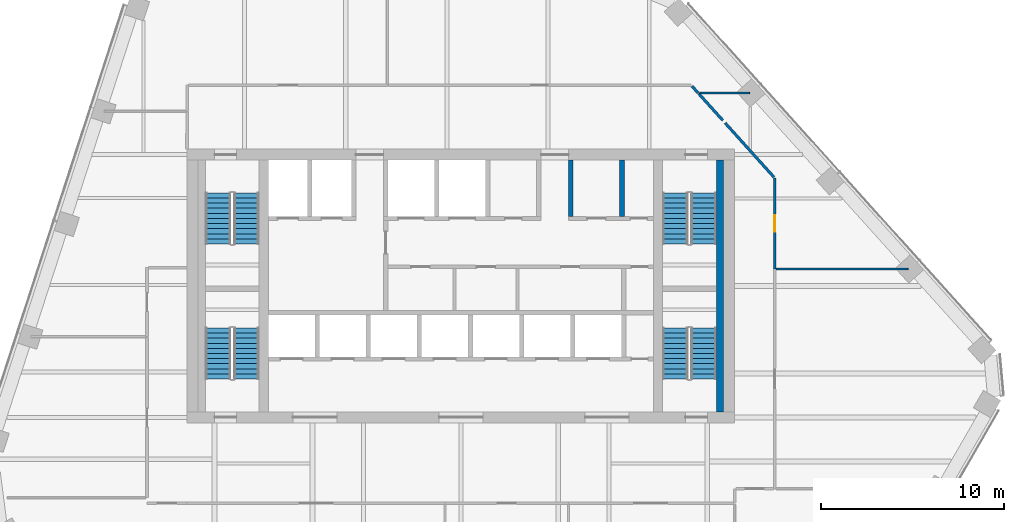
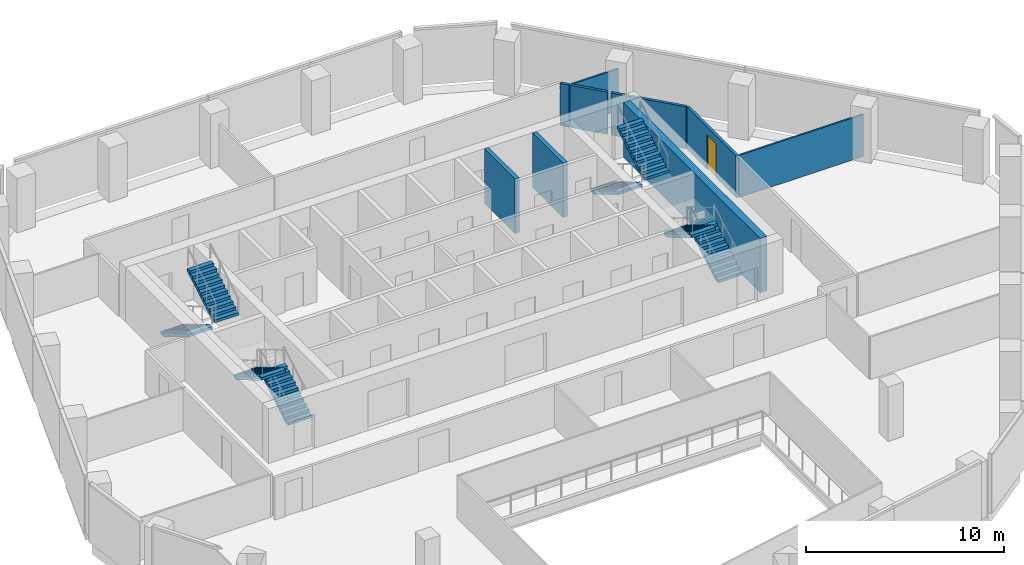
# One storey, part 11 of 16: 9 walls, 8 stair flights, 1 door, 1 opening, 4 elements without a shape of their own.
"""IFC4 building model written with IfcOpenShell, lengths in metres."""

from ifc_helpers import new_model, si_unit, direction, frame, frame_2d, origin, place, context, subcontext, project, spatial, polyline, rectangle, outline, extrude, material, layer, layer_set, type_object, element, fill, aggregate, save


model = new_model("IFC4")

# Units and contexts
model_context = context("Model", 3, precision=1e-05, world=origin(), true_north=direction((0.0, 1.0)))
body_context = subcontext(model_context, "Body", "Model", "MODEL_VIEW")
ifc_project = project(units=[si_unit("LENGTHUNIT", "METRE"), si_unit("AREAUNIT", "SQUARE_METRE"), si_unit("VOLUMEUNIT", "CUBIC_METRE"), si_unit("PLANEANGLEUNIT", "RADIAN"), si_unit("MASSUNIT", "GRAM", prefix="KILO")], contexts=[model_context])

# Site, building, storey
site_placement = place(None, origin())
site = spatial("IfcSite", under=ifc_project, at=site_placement, CompositionType="ELEMENT")
building_placement = place(site_placement, origin())
building = spatial("IfcBuilding", under=site, at=building_placement, Name="Isthmus Gate Tower", CompositionType="ELEMENT")
storey_placement = place(building_placement, frame((0.0, 0.0, 252.800048828125)))
storey = spatial("IfcBuildingStorey", under=building, at=storey_placement, Name="L64", CompositionType="ELEMENT", Elevation=252.800048828125)

# Wall, opening, door
ifc_material_1 = material(Name="Gypsum board on steel studs, fire-rated", Category="steel")
ifc_layer_1 = layer(ifc_material_1, 0.14990234375)
ifc_layer_set_1 = layer_set([ifc_layer_1], Name="CORRIDOR WALL 150 60 MIN")
wall_type_1 = type_object("IfcWallType", Name="CORRIDOR WALL 150 60 MIN", PredefinedType="PARTITIONING", material=ifc_layer_set_1)
wall_1_placement = place(storey_placement, frame((17.199951171875, 13.407958984375, 0.0), z_axis=(0.0, 0.0, 1.0), x_axis=(0.0, -1.0, 0.0)))
wall_1 = element("IfcWall", 1, at=wall_1_placement, inside=storey, type_object=wall_type_1, Name="L64 Corridor Wall 150 60 Min", PredefinedType="PARTITIONING", context=body_context, shape_type="SweptSolid", body=[
    extrude(rectangle(XDim=4.97998046875, YDim=0.14990234375, at=frame_2d((2.489990234375, 0.0))), origin(), (0.0, 0.0, 1.0), 2.6005859375),
])
opening_placement = place(wall_1_placement, frame((2.0400390625, 0.0, 0.0)))
opening = element("IfcOpeningElement", 2, at=opening_placement, cuts=wall_1, Name="Opening DT-T5D-04", PredefinedType="OPENING", context=body_context, shape_type="SweptSolid", body=[
    extrude(rectangle(XDim=0.89990234375, YDim=2.10009765625, at=frame_2d((0.449951171875, 1.050048828125))), frame((0.0, 0.0849609375, 0.0), z_axis=(0.0, -1.0, 0.0), x_axis=(1.0, 0.0, 0.0)), (0.0, 0.0, 1.0), 0.169921875),
])
ifc_material_2 = material(Name="Solid core timber door leaf, fire-rated", Category="wood")
door_type = type_object("IfcDoorType", Name="FIRE DOOR ROOM 900 X 2100 60 MIN", OperationType="SINGLE_SWING_LEFT", PredefinedType="DOOR", material=ifc_material_2)
door_placement = place(opening_placement, origin())
door = element("IfcDoor", 3, at=door_placement, inside=storey, type_object=door_type, Name="L64 room door", OperationType="SINGLE_SWING_LEFT", OverallHeight=2.10009765625, OverallWidth=0.89990234375, PredefinedType="DOOR", context=body_context, shape_type="SweptSolid", body=[
    extrude(rectangle(XDim=0.89990234375, YDim=2.10009765625, at=frame_2d((0.449951171875, 1.050048828125))), frame((0.0, 0.02490234375, 0.0), z_axis=(0.0, -1.0, 0.0), x_axis=(1.0, 0.0, 0.0)), (0.0, 0.0, 1.0), 0.050048828125),
])
fill(opening, door)

# Walls
wall_2_placement = place(storey_placement, frame((12.6650390625, 18.444091796875, 0.0), z_axis=(0.0, 0.0, 1.0), x_axis=(0.668637752652, -0.743588297197, 0.0)))
element("IfcWall", 4, at=wall_2_placement, inside=storey, type_object=wall_type_1, Name="L64 Corridor Wall 150 60 Min", PredefinedType="PARTITIONING", context=body_context, shape_type="SweptSolid", body=[
    extrude(rectangle(XDim=0.4951171875, YDim=0.14990234375, at=frame_2d((0.24755859375, 0.0))), origin(), (0.0, 0.0, 1.0), 2.6005859375),
])
wall_3_placement = place(storey_placement, frame((13.029541015625, 18.038818359375, 0.0), z_axis=(0.0, 0.0, 1.0), x_axis=(0.669183955235, -0.743096786466, 0.0)))
element("IfcWall", 5, at=wall_3_placement, inside=storey, type_object=wall_type_1, Name="L64 Corridor Wall 150 60 Min", PredefinedType="PARTITIONING", context=body_context, shape_type="SweptSolid", body=[
    extrude(rectangle(XDim=1.96875, YDim=0.14990234375, at=frame_2d((0.984375, 0.0))), origin(), (0.0, 0.0, 1.0), 2.6005859375),
])
wall_4_placement = place(storey_placement, frame((14.47607421875, 16.4326171875, 0.0), z_axis=(0.0, 0.0, 1.0), x_axis=(0.669204384193, -0.743078388985, 0.0)))
element("IfcWall", 6, at=wall_4_placement, inside=storey, type_object=wall_type_1, Name="L64 Corridor Wall 150 60 Min", PredefinedType="PARTITIONING", context=body_context, shape_type="SweptSolid", body=[
    extrude(rectangle(XDim=3.99560546875, YDim=0.14990234375, at=frame_2d((1.997802734375, 0.0))), origin(), (0.0, 0.0, 1.0), 2.6005859375),
])
ifc_material_3 = material(Name="Gypsum board on steel studs, fire-rated", Category="steel")
ifc_layer_2 = layer(ifc_material_3, 0.10009765625)
ifc_layer_set_2 = layer_set([ifc_layer_2], Name="ROOM PARTITION 100 30 MIN")
wall_type_2 = type_object("IfcWallType", Name="ROOM PARTITION 100 30 MIN", PredefinedType="PARTITIONING", material=ifc_layer_set_2)
wall_5_placement = place(storey_placement, frame((13.096923828125, 18.075927734375, 0.0), z_axis=(0.0, 0.0, 1.0), x_axis=(1.0, 0.0, 0.0)))
element("IfcWall", 7, at=wall_5_placement, inside=storey, type_object=wall_type_2, Name="L64 Room Partition 100 30 Min", PredefinedType="PARTITIONING", context=body_context, shape_type="SweptSolid", body=[
    extrude(rectangle(XDim=2.72509765625, YDim=0.10009765625, at=frame_2d((1.362548828125, 0.0))), origin(), (0.0, 0.0, 1.0), 2.6005859375),
])
wall_6_placement = place(storey_placement, frame((17.27490234375, 8.427978515625, 0.0), z_axis=(0.0, 0.0, 1.0), x_axis=(1.0, 0.0, 0.0)))
element("IfcWall", 8, at=wall_6_placement, inside=storey, type_object=wall_type_2, Name="L64 Room Partition 100 30 Min", PredefinedType="PARTITIONING", context=body_context, shape_type="SweptSolid", body=[
    extrude(rectangle(XDim=7.235107421875, YDim=0.10009765625, at=frame_2d((3.61767578125, 0.0))), origin(), (0.0, 0.0, 1.0), 2.6005859375),
])
ifc_material_4 = material(Name="Fire-rated blockwork masonry, 15 MPa", Category="masonry")
ifc_layer_3 = layer(ifc_material_4, 0.25)
ifc_layer_set_3 = layer_set([ifc_layer_3], Name="SHAFT WALL 250 120 MIN")
wall_type_3 = type_object("IfcWallType", Name="SHAFT WALL 250 120 MIN", PredefinedType="PARTITIONING", material=ifc_layer_set_3)
for number, where, z_axis, x_axis, name in (
    (9, (6.02490234375, 11.300048828125, 0.0), (0.0, 0.0, 1.0), (0.0, 1.0, 0.0), "L64 SHAFT WALL 250 120 MIN"),
    (10, (8.824951171875, 11.300048828125, 0.0), (0.0, 0.0, 1.0), (0.0, 1.0, 0.0), "L64 SHAFT WALL 250 120 MIN"),
):
    element("IfcWall", number, at=place(storey_placement, frame(where, z_axis=z_axis, x_axis=x_axis)), inside=storey, type_object=wall_type_3, Name=name, PredefinedType="PARTITIONING", context=body_context, shape_type="SweptSolid", body=[
        extrude(rectangle(XDim=3.099853515625, YDim=0.25, at=frame_2d((1.5498046875, 0.0))), origin(), (0.0, 0.0, 1.0), 3.349853515625),
    ])
ifc_material_5 = material(Name="Concrete f'c 40 MPa", Category="concrete")
ifc_layer_4 = layer(ifc_material_5, 0.39990234375)
ifc_layer_set_4 = layer_set([ifc_layer_4], Name="STAIR ENCLOSURE WALL 400 180 MIN")
wall_type_4 = type_object("IfcWallType", Name="STAIR ENCLOSURE WALL 400 180 MIN", PredefinedType="SOLIDWALL", material=ifc_layer_set_4)
wall_7_placement = place(storey_placement, frame((14.199951171875, 0.60009765625, 0.0), z_axis=(0.0, 0.0, 1.0), x_axis=(0.0, 1.0, 0.0)))
element("IfcWall", 11, at=wall_7_placement, inside=storey, type_object=wall_type_4, Name="L64 STAIR ENCLOSURE WALL 400 180 MIN", PredefinedType="SOLIDWALL", context=body_context, shape_type="SweptSolid", body=[
    extrude(rectangle(XDim=13.7998046875, YDim=0.39990234375, at=frame_2d((6.89990234375, 0.0))), origin(), (0.0, 0.0, 1.0), 3.349853515625),
])

# Stair, stair flights
ifc_material_6 = material(Name="Concrete f'c 40 MPa", Category="concrete")
stair_type = type_object("IfcStairType", Name="CORE STAIR 22 RISERS", PredefinedType="HALF_TURN_STAIR", material=ifc_material_6)
stair_1_placement = place(storey_placement, origin())
stair_1 = element("IfcStair", 12, at=stair_1_placement, inside=storey, type_object=stair_type, Name="L64 Exit Stair 1", PredefinedType="HALF_TURN_STAIR")
ifc_material_7 = material(Name="Concrete f'c 40 MPa", Category="concrete")
stair_flight_type = type_object("IfcStairFlightType", Name="STAIR FLIGHT RC 1400", PredefinedType="STRAIGHT", material=ifc_material_7)
stair_flight_1_placement = place(storey_placement, frame((-13.300048828125, 12.60009765625, 0.0), z_axis=(0.0, 0.0, 1.0), x_axis=(0.0, -1.0, 0.0)))
stair_flight_1 = element("IfcStairFlight", 13, at=stair_flight_1_placement, type_object=stair_flight_type, Name="ST1 flight 1", NumberOfRisers=11, NumberOfTreads=10, PredefinedType="STRAIGHT", RiserHeight=0.165909091, TreadLength=0.28, context=body_context, shape_type="SweptSolid", body=[
    extrude(outline(polyline([(0.0, 0.0), (0.0, 0.166015625), (0.280029296875, 0.166015625), (0.280029296875, 0.331787109375), (0.56005859375, 0.331787109375), (0.56005859375, 0.497802734375), (0.840087890625, 0.497802734375), (0.840087890625, 0.66357421875), (1.1201171875, 0.66357421875), (1.1201171875, 0.82958984375), (1.39990234375, 0.82958984375), (1.39990234375, 0.995361328125), (1.679931640625, 0.995361328125), (1.679931640625, 1.161376953125), (1.9599609375, 1.161376953125), (1.9599609375, 1.327392578125), (2.239990234375, 1.327392578125), (2.239990234375, 1.4931640625), (2.52001953125, 1.4931640625), (2.52001953125, 1.6591796875), (2.800048828125, 1.6591796875), (2.800048828125, 1.824951171875), (2.800048828125, 1.48486328125), (0.2939453125, 0.0), (0.0, 0.0)])), frame((0.0, 0.699951171875, 0.0), z_axis=(0.0, -1.0, 0.0), x_axis=(1.0, 0.0, 0.0)), (0.0, 0.0, 1.0), 1.39990234375),
])
stair_flight_2_placement = place(storey_placement, frame((-11.75, 9.800048828125, 1.824951171875), z_axis=(0.0, 0.0, 1.0), x_axis=(0.0, 1.0, 0.0)))
stair_flight_2 = element("IfcStairFlight", 14, at=stair_flight_2_placement, type_object=stair_flight_type, Name="ST1 flight 2", NumberOfRisers=11, NumberOfTreads=10, PredefinedType="STRAIGHT", RiserHeight=0.165909091, TreadLength=0.28, context=body_context, shape_type="SweptSolid", body=[
    extrude(outline(polyline([(0.0, 0.0), (0.0, 0.166015625), (0.280029296875, 0.166015625), (0.280029296875, 0.331787109375), (0.56005859375, 0.331787109375), (0.56005859375, 0.497802734375), (0.840087890625, 0.497802734375), (0.840087890625, 0.66357421875), (1.1201171875, 0.66357421875), (1.1201171875, 0.82958984375), (1.39990234375, 0.82958984375), (1.39990234375, 0.995361328125), (1.679931640625, 0.995361328125), (1.679931640625, 1.161376953125), (1.9599609375, 1.161376953125), (1.9599609375, 1.327392578125), (2.239990234375, 1.327392578125), (2.239990234375, 1.4931640625), (2.52001953125, 1.4931640625), (2.52001953125, 1.6591796875), (2.800048828125, 1.6591796875), (2.800048828125, 1.824951171875), (2.800048828125, 1.48486328125), (0.2939453125, 0.0), (0.0, 0.0)])), frame((0.0, 0.699951171875, 0.0), z_axis=(0.0, -1.0, 0.0), x_axis=(1.0, 0.0, 0.0)), (0.0, 0.0, 1.0), 1.39990234375),
])
aggregate(stair_1, [stair_flight_1, stair_flight_2])

stair_2_placement = place(storey_placement, origin())
stair_2 = element("IfcStair", 15, at=stair_2_placement, inside=storey, type_object=stair_type, Name="L64 Exit Stair 2", PredefinedType="HALF_TURN_STAIR")
stair_flight_3_placement = place(storey_placement, frame((11.75, 12.60009765625, 0.0), z_axis=(0.0, 0.0, 1.0), x_axis=(0.0, -1.0, 0.0)))
stair_flight_3 = element("IfcStairFlight", 16, at=stair_flight_3_placement, type_object=stair_flight_type, Name="ST2 flight 1", NumberOfRisers=11, NumberOfTreads=10, PredefinedType="STRAIGHT", RiserHeight=0.165909091, TreadLength=0.28, context=body_context, shape_type="SweptSolid", body=[
    extrude(outline(polyline([(0.0, 0.0), (0.0, 0.166015625), (0.280029296875, 0.166015625), (0.280029296875, 0.331787109375), (0.56005859375, 0.331787109375), (0.56005859375, 0.497802734375), (0.840087890625, 0.497802734375), (0.840087890625, 0.66357421875), (1.1201171875, 0.66357421875), (1.1201171875, 0.82958984375), (1.39990234375, 0.82958984375), (1.39990234375, 0.995361328125), (1.679931640625, 0.995361328125), (1.679931640625, 1.161376953125), (1.9599609375, 1.161376953125), (1.9599609375, 1.327392578125), (2.239990234375, 1.327392578125), (2.239990234375, 1.4931640625), (2.52001953125, 1.4931640625), (2.52001953125, 1.6591796875), (2.800048828125, 1.6591796875), (2.800048828125, 1.824951171875), (2.800048828125, 1.48486328125), (0.2939453125, 0.0), (0.0, 0.0)])), frame((0.0, 0.699951171875, 0.0), z_axis=(0.0, -1.0, 0.0), x_axis=(1.0, 0.0, 0.0)), (0.0, 0.0, 1.0), 1.39990234375),
])
stair_flight_4_placement = place(storey_placement, frame((13.300048828125, 9.800048828125, 1.824951171875), z_axis=(0.0, 0.0, 1.0), x_axis=(0.0, 1.0, 0.0)))
stair_flight_4 = element("IfcStairFlight", 17, at=stair_flight_4_placement, type_object=stair_flight_type, Name="ST2 flight 2", NumberOfRisers=11, NumberOfTreads=10, PredefinedType="STRAIGHT", RiserHeight=0.165909091, TreadLength=0.28, context=body_context, shape_type="SweptSolid", body=[
    extrude(outline(polyline([(0.0, 0.0), (0.0, 0.166015625), (0.280029296875, 0.166015625), (0.280029296875, 0.331787109375), (0.56005859375, 0.331787109375), (0.56005859375, 0.497802734375), (0.840087890625, 0.497802734375), (0.840087890625, 0.66357421875), (1.1201171875, 0.66357421875), (1.1201171875, 0.82958984375), (1.39990234375, 0.82958984375), (1.39990234375, 0.995361328125), (1.679931640625, 0.995361328125), (1.679931640625, 1.161376953125), (1.9599609375, 1.161376953125), (1.9599609375, 1.327392578125), (2.239990234375, 1.327392578125), (2.239990234375, 1.4931640625), (2.52001953125, 1.4931640625), (2.52001953125, 1.6591796875), (2.800048828125, 1.6591796875), (2.800048828125, 1.824951171875), (2.800048828125, 1.48486328125), (0.2939453125, 0.0), (0.0, 0.0)])), frame((0.0, 0.699951171875, 0.0), z_axis=(0.0, -1.0, 0.0), x_axis=(1.0, 0.0, 0.0)), (0.0, 0.0, 1.0), 1.39990234375),
])
aggregate(stair_2, [stair_flight_3, stair_flight_4])

stair_3_placement = place(storey_placement, origin())
stair_3 = element("IfcStair", 18, at=stair_3_placement, inside=storey, type_object=stair_type, Name="L64 Exit Stair 7", PredefinedType="HALF_TURN_STAIR")
stair_flight_5_placement = place(storey_placement, frame((-11.75, 2.39990234375, 0.0), z_axis=(0.0, 0.0, 1.0), x_axis=(0.0, 1.0, 0.0)))
stair_flight_5 = element("IfcStairFlight", 19, at=stair_flight_5_placement, type_object=stair_flight_type, Name="ST7 flight 1", NumberOfRisers=11, NumberOfTreads=10, PredefinedType="STRAIGHT", RiserHeight=0.165909091, TreadLength=0.28, context=body_context, shape_type="SweptSolid", body=[
    extrude(outline(polyline([(0.0, 0.0), (0.0, 0.166015625), (0.280029296875, 0.166015625), (0.280029296875, 0.331787109375), (0.56005859375, 0.331787109375), (0.56005859375, 0.497802734375), (0.840087890625, 0.497802734375), (0.840087890625, 0.66357421875), (1.1201171875, 0.66357421875), (1.1201171875, 0.82958984375), (1.39990234375, 0.82958984375), (1.39990234375, 0.995361328125), (1.679931640625, 0.995361328125), (1.679931640625, 1.161376953125), (1.9599609375, 1.161376953125), (1.9599609375, 1.327392578125), (2.239990234375, 1.327392578125), (2.239990234375, 1.4931640625), (2.52001953125, 1.4931640625), (2.52001953125, 1.6591796875), (2.800048828125, 1.6591796875), (2.800048828125, 1.824951171875), (2.800048828125, 1.48486328125), (0.2939453125, 0.0), (0.0, 0.0)])), frame((0.0, 0.699951171875, 0.0), z_axis=(0.0, -1.0, 0.0), x_axis=(1.0, 0.0, 0.0)), (0.0, 0.0, 1.0), 1.39990234375),
])
stair_flight_6_placement = place(storey_placement, frame((-13.300048828125, 5.199951171875, 1.824951171875), z_axis=(0.0, 0.0, 1.0), x_axis=(0.0, -1.0, 0.0)))
stair_flight_6 = element("IfcStairFlight", 20, at=stair_flight_6_placement, type_object=stair_flight_type, Name="ST7 flight 2", NumberOfRisers=11, NumberOfTreads=10, PredefinedType="STRAIGHT", RiserHeight=0.165909091, TreadLength=0.28, context=body_context, shape_type="SweptSolid", body=[
    extrude(outline(polyline([(0.0, 0.0), (0.0, 0.166015625), (0.280029296875, 0.166015625), (0.280029296875, 0.331787109375), (0.56005859375, 0.331787109375), (0.56005859375, 0.497802734375), (0.840087890625, 0.497802734375), (0.840087890625, 0.66357421875), (1.1201171875, 0.66357421875), (1.1201171875, 0.82958984375), (1.39990234375, 0.82958984375), (1.39990234375, 0.995361328125), (1.679931640625, 0.995361328125), (1.679931640625, 1.161376953125), (1.9599609375, 1.161376953125), (1.9599609375, 1.327392578125), (2.239990234375, 1.327392578125), (2.239990234375, 1.4931640625), (2.52001953125, 1.4931640625), (2.52001953125, 1.6591796875), (2.800048828125, 1.6591796875), (2.800048828125, 1.824951171875), (2.800048828125, 1.48486328125), (0.2939453125, 0.0), (0.0, 0.0)])), frame((0.0, 0.699951171875, 0.0), z_axis=(0.0, -1.0, 0.0), x_axis=(1.0, 0.0, 0.0)), (0.0, 0.0, 1.0), 1.39990234375),
])
aggregate(stair_3, [stair_flight_5, stair_flight_6])

stair_4_placement = place(storey_placement, origin())
stair_4 = element("IfcStair", 21, at=stair_4_placement, inside=storey, type_object=stair_type, Name="L64 Exit Stair 8", PredefinedType="HALF_TURN_STAIR")
stair_flight_7_placement = place(storey_placement, frame((13.300048828125, 2.39990234375, 0.0), z_axis=(0.0, 0.0, 1.0), x_axis=(0.0, 1.0, 0.0)))
stair_flight_7 = element("IfcStairFlight", 22, at=stair_flight_7_placement, type_object=stair_flight_type, Name="ST8 flight 1", NumberOfRisers=11, NumberOfTreads=10, PredefinedType="STRAIGHT", RiserHeight=0.165909091, TreadLength=0.28, context=body_context, shape_type="SweptSolid", body=[
    extrude(outline(polyline([(0.0, 0.0), (0.0, 0.166015625), (0.280029296875, 0.166015625), (0.280029296875, 0.331787109375), (0.56005859375, 0.331787109375), (0.56005859375, 0.497802734375), (0.840087890625, 0.497802734375), (0.840087890625, 0.66357421875), (1.1201171875, 0.66357421875), (1.1201171875, 0.82958984375), (1.39990234375, 0.82958984375), (1.39990234375, 0.995361328125), (1.679931640625, 0.995361328125), (1.679931640625, 1.161376953125), (1.9599609375, 1.161376953125), (1.9599609375, 1.327392578125), (2.239990234375, 1.327392578125), (2.239990234375, 1.4931640625), (2.52001953125, 1.4931640625), (2.52001953125, 1.6591796875), (2.800048828125, 1.6591796875), (2.800048828125, 1.824951171875), (2.800048828125, 1.48486328125), (0.2939453125, 0.0), (0.0, 0.0)])), frame((0.0, 0.699951171875, 0.0), z_axis=(0.0, -1.0, 0.0), x_axis=(1.0, 0.0, 0.0)), (0.0, 0.0, 1.0), 1.39990234375),
])
stair_flight_8_placement = place(storey_placement, frame((11.75, 5.199951171875, 1.824951171875), z_axis=(0.0, 0.0, 1.0), x_axis=(0.0, -1.0, 0.0)))
stair_flight_8 = element("IfcStairFlight", 23, at=stair_flight_8_placement, type_object=stair_flight_type, Name="ST8 flight 2", NumberOfRisers=11, NumberOfTreads=10, PredefinedType="STRAIGHT", RiserHeight=0.165909091, TreadLength=0.28, context=body_context, shape_type="SweptSolid", body=[
    extrude(outline(polyline([(0.0, 0.0), (0.0, 0.166015625), (0.280029296875, 0.166015625), (0.280029296875, 0.331787109375), (0.56005859375, 0.331787109375), (0.56005859375, 0.497802734375), (0.840087890625, 0.497802734375), (0.840087890625, 0.66357421875), (1.1201171875, 0.66357421875), (1.1201171875, 0.82958984375), (1.39990234375, 0.82958984375), (1.39990234375, 0.995361328125), (1.679931640625, 0.995361328125), (1.679931640625, 1.161376953125), (1.9599609375, 1.161376953125), (1.9599609375, 1.327392578125), (2.239990234375, 1.327392578125), (2.239990234375, 1.4931640625), (2.52001953125, 1.4931640625), (2.52001953125, 1.6591796875), (2.800048828125, 1.6591796875), (2.800048828125, 1.824951171875), (2.800048828125, 1.48486328125), (0.2939453125, 0.0), (0.0, 0.0)])), frame((0.0, 0.699951171875, 0.0), z_axis=(0.0, -1.0, 0.0), x_axis=(1.0, 0.0, 0.0)), (0.0, 0.0, 1.0), 1.39990234375),
])
aggregate(stair_4, [stair_flight_7, stair_flight_8])

save(model, "model.ifc")
